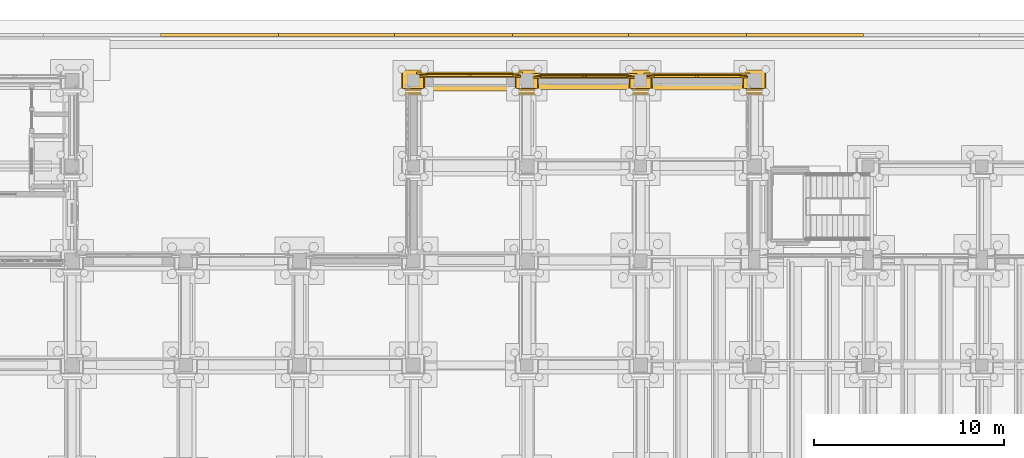
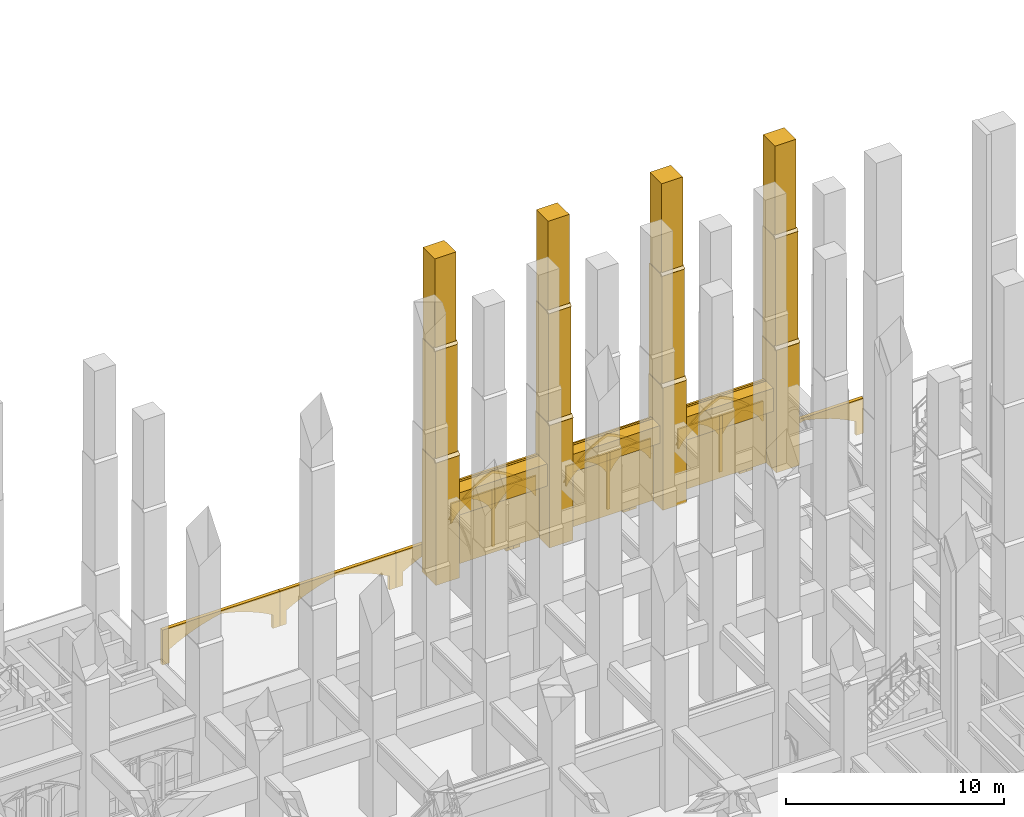
# One storey, part 122 of 135: 50 coverings.
"""IFC4 building model written with IfcOpenShell, lengths in metres."""

from ifc_helpers import new_model, si_unit, direction, frame, origin, origin_2d, place, context, subcontext, project, spatial, polyline, rectangle, outline, extrude, material, type_object, element, save


model = new_model("IFC4")

# Units and contexts
model_context = context("Model", 3, precision=1e-05, world=origin(), true_north=direction((0.0, 1.0)))
body_context = subcontext(model_context, "Body", "Model", "MODEL_VIEW")
ifc_project = project(units=[si_unit("LENGTHUNIT", "METRE"), si_unit("AREAUNIT", "SQUARE_METRE"), si_unit("VOLUMEUNIT", "CUBIC_METRE"), si_unit("PLANEANGLEUNIT", "RADIAN"), si_unit("MASSUNIT", "GRAM", prefix="KILO")], contexts=[model_context])

# Site, building, storey
site_placement = place(None, origin())
site = spatial("IfcSite", under=ifc_project, at=site_placement, CompositionType="ELEMENT")
building_placement = place(site_placement, origin())
building = spatial("IfcBuilding", under=site, at=building_placement, Name="Cumevento Cable Car Station", CompositionType="ELEMENT")
storey_placement = place(building_placement, origin())
storey = spatial("IfcBuildingStorey", under=building, at=storey_placement, Name="L01", CompositionType="ELEMENT", Elevation=0.0)

# Coverings
ifc_material = material(Name="Gnaisse Facoidal Stone Ashlar 85 MPa", Category="masonry")
covering_type = type_object("IfcCoveringType", Name="Gnaisse Ashlar Cladding CV-CL01", PredefinedType="CLADDING", material=ifc_material)
covering_1_placement = place(storey_placement, frame((52.0, 65.909912109375, -0.06005859375), z_axis=(0.0, 0.0, 1.0), x_axis=(1.0, 0.0, 0.0)))
element("IfcCovering", 1, at=covering_1_placement, inside=storey, type_object=covering_type, Name="Stepped Gothic Stone Buttress Tier 1 bt:52.0:66.0", PredefinedType="CLADDING", context=body_context, shape_type="SweptSolid", body=[
    extrude(rectangle(XDim=1.239990234375, YDim=1.300048828125, at=origin_2d()), origin(), (0.0, 0.0, 1.0), 6.885498046875),
])
covering_2_placement = place(storey_placement, frame((51.360107421875, 65.239990234375, 6.8056640625), z_axis=(0.0, -0.711135781079, 0.703054692658), x_axis=(1.0, 0.0, 0.0)))
element("IfcCovering", 2, at=covering_2_placement, inside=storey, type_object=covering_type, Name="Gothic Buttress Sloped Stone Weathering 1 bt:52.0:66.0", PredefinedType="CLADDING", context=body_context, shape_type="SweptSolid", body=[
    extrude(outline(polyline([(0.0, 0.0), (1.27978515625, 0.0), (1.27978515625, 0.24169083397703695), (0.0, 0.24169083397703695), (0.0, 0.0)])), origin(), (0.0, 0.0, -1.0), 0.090087890625),
])
covering_3_placement = place(storey_placement, frame((52.0, 65.969970703125, 6.46337890625), z_axis=(0.0, 0.0, 1.0), x_axis=(1.0, 0.0, 0.0)))
element("IfcCovering", 3, at=covering_3_placement, inside=storey, type_object=covering_type, Name="Stepped Gothic Stone Buttress Tier 2 bt:52.0:66.0", PredefinedType="CLADDING", context=body_context, shape_type="SweptSolid", body=[
    extrude(rectangle(XDim=1.179931640625, YDim=1.179931640625, at=origin_2d()), origin(), (0.0, 0.0, 1.0), 6.523193359375),
])
covering_4_placement = place(storey_placement, frame((51.389892578125, 65.360107421875, 12.96630859375), z_axis=(0.0, -0.714474823669, 0.699661151089), x_axis=(1.0, 0.0, 0.0)))
element("IfcCovering", 4, at=covering_4_placement, inside=storey, type_object=covering_type, Name="Gothic Buttress Sloped Stone Weathering 2 bt:52.0:66.0", PredefinedType="CLADDING", context=body_context, shape_type="SweptSolid", body=[
    extrude(outline(polyline([(0.0, 0.0), (1.22021484375, 0.0), (1.22021484375, 0.21424991728737655), (0.0, 0.21424991728737655), (0.0, 0.0)])), origin(), (0.0, 0.0, -1.0), 0.090087890625),
])
covering_5_placement = place(storey_placement, frame((52.0, 66.02001953125, 12.6240234375), z_axis=(0.0, 0.0, 1.0), x_axis=(1.0, 0.0, 0.0)))
element("IfcCovering", 5, at=covering_5_placement, inside=storey, type_object=covering_type, Name="Stepped Gothic Stone Buttress Tier 3 bt:52.0:66.0", PredefinedType="CLADDING", context=body_context, shape_type="SweptSolid", body=[
    extrude(rectangle(XDim=1.1201171875, YDim=1.080078125, at=origin_2d()), origin(), (0.0, 0.0, 1.0), 5.43603515625),
])
covering_6_placement = place(storey_placement, frame((58.0, 65.909912109375, -0.06005859375), z_axis=(0.0, 0.0, 1.0), x_axis=(1.0, 0.0, 0.0)))
element("IfcCovering", 6, at=covering_6_placement, inside=storey, type_object=covering_type, Name="Stepped Gothic Stone Buttress Tier 1 bt:58.0:66.0", PredefinedType="CLADDING", context=body_context, shape_type="SweptSolid", body=[
    extrude(rectangle(XDim=1.239990234375, YDim=1.300048828125, at=origin_2d()), origin(), (0.0, 0.0, 1.0), 6.885498046875),
])
covering_7_placement = place(storey_placement, frame((57.360107421875, 65.239990234375, 6.8056640625), z_axis=(0.0, -0.711135781079, 0.703054692658), x_axis=(1.0, 0.0, 0.0)))
element("IfcCovering", 7, at=covering_7_placement, inside=storey, type_object=covering_type, Name="Gothic Buttress Sloped Stone Weathering 1 bt:58.0:66.0", PredefinedType="CLADDING", context=body_context, shape_type="SweptSolid", body=[
    extrude(outline(polyline([(0.0, 0.0), (1.27978515625, 0.0), (1.27978515625, 0.24169083397703695), (0.0, 0.24169083397703695), (0.0, 0.0)])), origin(), (0.0, 0.0, -1.0), 0.090087890625),
])
covering_8_placement = place(storey_placement, frame((58.0, 65.969970703125, 6.46337890625), z_axis=(0.0, 0.0, 1.0), x_axis=(1.0, 0.0, 0.0)))
element("IfcCovering", 8, at=covering_8_placement, inside=storey, type_object=covering_type, Name="Stepped Gothic Stone Buttress Tier 2 bt:58.0:66.0", PredefinedType="CLADDING", context=body_context, shape_type="SweptSolid", body=[
    extrude(rectangle(XDim=1.179931640625, YDim=1.179931640625, at=origin_2d()), origin(), (0.0, 0.0, 1.0), 6.523193359375),
])
covering_9_placement = place(storey_placement, frame((57.389892578125, 65.360107421875, 12.96630859375), z_axis=(0.0, -0.714474823669, 0.699661151089), x_axis=(1.0, 0.0, 0.0)))
element("IfcCovering", 9, at=covering_9_placement, inside=storey, type_object=covering_type, Name="Gothic Buttress Sloped Stone Weathering 2 bt:58.0:66.0", PredefinedType="CLADDING", context=body_context, shape_type="SweptSolid", body=[
    extrude(outline(polyline([(0.0, 0.0), (1.22021484375, 0.0), (1.22021484375, 0.21424991728737655), (0.0, 0.21424991728737655), (0.0, 0.0)])), origin(), (0.0, 0.0, -1.0), 0.090087890625),
])
covering_10_placement = place(storey_placement, frame((58.0, 66.02001953125, 12.6240234375), z_axis=(0.0, 0.0, 1.0), x_axis=(1.0, 0.0, 0.0)))
element("IfcCovering", 10, at=covering_10_placement, inside=storey, type_object=covering_type, Name="Stepped Gothic Stone Buttress Tier 3 bt:58.0:66.0", PredefinedType="CLADDING", context=body_context, shape_type="SweptSolid", body=[
    extrude(rectangle(XDim=1.1201171875, YDim=1.080078125, at=origin_2d()), origin(), (0.0, 0.0, 1.0), 5.43603515625),
])
covering_11_placement = place(storey_placement, frame((64.0, 65.909912109375, -0.06005859375), z_axis=(0.0, 0.0, 1.0), x_axis=(1.0, 0.0, 0.0)))
element("IfcCovering", 11, at=covering_11_placement, inside=storey, type_object=covering_type, Name="Stepped Gothic Stone Buttress Tier 1 bt:64.0:66.0", PredefinedType="CLADDING", context=body_context, shape_type="SweptSolid", body=[
    extrude(rectangle(XDim=1.239990234375, YDim=1.300048828125, at=origin_2d()), origin(), (0.0, 0.0, 1.0), 6.885498046875),
])
covering_12_placement = place(storey_placement, frame((63.360107421875, 65.239990234375, 6.8056640625), z_axis=(0.0, -0.711135781079, 0.703054692658), x_axis=(1.0, 0.0, 0.0)))
element("IfcCovering", 12, at=covering_12_placement, inside=storey, type_object=covering_type, Name="Gothic Buttress Sloped Stone Weathering 1 bt:64.0:66.0", PredefinedType="CLADDING", context=body_context, shape_type="SweptSolid", body=[
    extrude(outline(polyline([(0.0, 0.0), (1.27978515625, 0.0), (1.27978515625, 0.24169083397703695), (0.0, 0.24169083397703695), (0.0, 0.0)])), origin(), (0.0, 0.0, -1.0), 0.090087890625),
])
covering_13_placement = place(storey_placement, frame((64.0, 65.969970703125, 6.46337890625), z_axis=(0.0, 0.0, 1.0), x_axis=(1.0, 0.0, 0.0)))
element("IfcCovering", 13, at=covering_13_placement, inside=storey, type_object=covering_type, Name="Stepped Gothic Stone Buttress Tier 2 bt:64.0:66.0", PredefinedType="CLADDING", context=body_context, shape_type="SweptSolid", body=[
    extrude(rectangle(XDim=1.179931640625, YDim=1.179931640625, at=origin_2d()), origin(), (0.0, 0.0, 1.0), 6.523193359375),
])
covering_14_placement = place(storey_placement, frame((63.389892578125, 65.360107421875, 12.96630859375), z_axis=(0.0, -0.714474823669, 0.699661151089), x_axis=(1.0, 0.0, 0.0)))
element("IfcCovering", 14, at=covering_14_placement, inside=storey, type_object=covering_type, Name="Gothic Buttress Sloped Stone Weathering 2 bt:64.0:66.0", PredefinedType="CLADDING", context=body_context, shape_type="SweptSolid", body=[
    extrude(outline(polyline([(0.0, 0.0), (1.22021484375, 0.0), (1.22021484375, 0.21424991728737655), (0.0, 0.21424991728737655), (0.0, 0.0)])), origin(), (0.0, 0.0, -1.0), 0.090087890625),
])
covering_15_placement = place(storey_placement, frame((64.0, 66.02001953125, 12.6240234375), z_axis=(0.0, 0.0, 1.0), x_axis=(1.0, 0.0, 0.0)))
element("IfcCovering", 15, at=covering_15_placement, inside=storey, type_object=covering_type, Name="Stepped Gothic Stone Buttress Tier 3 bt:64.0:66.0", PredefinedType="CLADDING", context=body_context, shape_type="SweptSolid", body=[
    extrude(rectangle(XDim=1.1201171875, YDim=1.080078125, at=origin_2d()), origin(), (0.0, 0.0, 1.0), 5.43603515625),
])
covering_16_placement = place(storey_placement, frame((70.0, 65.909912109375, -0.06005859375), z_axis=(0.0, 0.0, 1.0), x_axis=(1.0, 0.0, 0.0)))
element("IfcCovering", 16, at=covering_16_placement, inside=storey, type_object=covering_type, Name="Stepped Gothic Stone Buttress Tier 1 bt:70.0:66.0", PredefinedType="CLADDING", context=body_context, shape_type="SweptSolid", body=[
    extrude(rectangle(XDim=1.239990234375, YDim=1.300048828125, at=origin_2d()), origin(), (0.0, 0.0, 1.0), 6.885498046875),
])
covering_17_placement = place(storey_placement, frame((69.360107421875, 65.239990234375, 6.8056640625), z_axis=(0.0, -0.711135781079, 0.703054692658), x_axis=(1.0, 0.0, 0.0)))
element("IfcCovering", 17, at=covering_17_placement, inside=storey, type_object=covering_type, Name="Gothic Buttress Sloped Stone Weathering 1 bt:70.0:66.0", PredefinedType="CLADDING", context=body_context, shape_type="SweptSolid", body=[
    extrude(outline(polyline([(0.0, 0.0), (1.27978515625, 0.0), (1.27978515625, 0.24169083397703695), (0.0, 0.24169083397703695), (0.0, 0.0)])), origin(), (0.0, 0.0, -1.0), 0.090087890625),
])
covering_18_placement = place(storey_placement, frame((70.0, 65.969970703125, 6.46337890625), z_axis=(0.0, 0.0, 1.0), x_axis=(1.0, 0.0, 0.0)))
element("IfcCovering", 18, at=covering_18_placement, inside=storey, type_object=covering_type, Name="Stepped Gothic Stone Buttress Tier 2 bt:70.0:66.0", PredefinedType="CLADDING", context=body_context, shape_type="SweptSolid", body=[
    extrude(rectangle(XDim=1.179931640625, YDim=1.179931640625, at=origin_2d()), origin(), (0.0, 0.0, 1.0), 6.523193359375),
])
covering_19_placement = place(storey_placement, frame((69.389892578125, 65.360107421875, 12.96630859375), z_axis=(0.0, -0.714474823669, 0.699661151089), x_axis=(1.0, 0.0, 0.0)))
element("IfcCovering", 19, at=covering_19_placement, inside=storey, type_object=covering_type, Name="Gothic Buttress Sloped Stone Weathering 2 bt:70.0:66.0", PredefinedType="CLADDING", context=body_context, shape_type="SweptSolid", body=[
    extrude(outline(polyline([(0.0, 0.0), (1.22021484375, 0.0), (1.22021484375, 0.21424991728737655), (0.0, 0.21424991728737655), (0.0, 0.0)])), origin(), (0.0, 0.0, -1.0), 0.090087890625),
])
covering_20_placement = place(storey_placement, frame((70.0, 66.02001953125, 12.6240234375), z_axis=(0.0, 0.0, 1.0), x_axis=(1.0, 0.0, 0.0)))
element("IfcCovering", 20, at=covering_20_placement, inside=storey, type_object=covering_type, Name="Stepped Gothic Stone Buttress Tier 3 bt:70.0:66.0", PredefinedType="CLADDING", context=body_context, shape_type="SweptSolid", body=[
    extrude(rectangle(XDim=1.1201171875, YDim=1.080078125, at=origin_2d()), origin(), (0.0, 0.0, 1.0), 5.43603515625),
])
covering_21_placement = place(storey_placement, frame((54.97509765625, 65.919921875, 3.2900390625), z_axis=(0.0, 0.0, 1.0), x_axis=(1.0, 0.0, 0.0)))
element("IfcCovering", 21, at=covering_21_placement, inside=storey, type_object=covering_type, Name="Gothic Stone Spandrel Stringcourse sc:0163", PredefinedType="CLADDING", context=body_context, shape_type="SweptSolid", body=[
    extrude(rectangle(XDim=5.5400390625, YDim=0.919921875, at=origin_2d()), origin(), (0.0, 0.0, 1.0), 1.239990234375),
])
covering_22_placement = place(storey_placement, frame((54.97509765625, 66.407470703125, 4.400146484375), z_axis=(0.0, 0.0, 1.0), x_axis=(1.0, 0.0, 0.0)))
element("IfcCovering", 22, at=covering_22_placement, inside=storey, type_object=covering_type, Name="Gothic Cornice Dripstone Lip sc:0163", PredefinedType="CLADDING", context=body_context, shape_type="SweptSolid", body=[
    extrude(rectangle(XDim=5.580078125, YDim=0.114990234375, at=origin_2d()), origin(), (0.0, 0.0, 1.0), 0.1298828125),
])
covering_23_placement = place(storey_placement, frame((61.02490234375, 65.89990234375, 3.5400390625), z_axis=(0.0, 0.0, 1.0), x_axis=(1.0, 0.0, 0.0)))
element("IfcCovering", 23, at=covering_23_placement, inside=storey, type_object=covering_type, Name="Gothic Stone Spandrel Stringcourse sc:0164", PredefinedType="CLADDING", context=body_context, shape_type="SweptSolid", body=[
    extrude(rectangle(XDim=5.5400390625, YDim=0.760009765625, at=origin_2d()), origin(), (0.0, 0.0, 1.0), 0.989990234375),
])
covering_24_placement = place(storey_placement, frame((61.02490234375, 66.3076171875, 4.400146484375), z_axis=(0.0, 0.0, 1.0), x_axis=(1.0, 0.0, 0.0)))
element("IfcCovering", 24, at=covering_24_placement, inside=storey, type_object=covering_type, Name="Gothic Cornice Dripstone Lip sc:0164", PredefinedType="CLADDING", context=body_context, shape_type="SweptSolid", body=[
    extrude(rectangle(XDim=5.580078125, YDim=0.114990234375, at=origin_2d()), origin(), (0.0, 0.0, 1.0), 0.1298828125),
])
covering_25_placement = place(storey_placement, frame((66.97509765625, 65.919921875, 3.239990234375), z_axis=(0.0, 0.0, 1.0), x_axis=(1.0, 0.0, 0.0)))
element("IfcCovering", 25, at=covering_25_placement, inside=storey, type_object=covering_type, Name="Gothic Stone Spandrel Stringcourse sc:0165", PredefinedType="CLADDING", context=body_context, shape_type="SweptSolid", body=[
    extrude(rectangle(XDim=5.5400390625, YDim=0.820068359375, at=origin_2d()), origin(), (0.0, 0.0, 1.0), 1.2900390625),
])
covering_26_placement = place(storey_placement, frame((66.97509765625, 66.357421875, 4.400146484375), z_axis=(0.0, 0.0, 1.0), x_axis=(1.0, 0.0, 0.0)))
element("IfcCovering", 26, at=covering_26_placement, inside=storey, type_object=covering_type, Name="Gothic Cornice Dripstone Lip sc:0165", PredefinedType="CLADDING", context=body_context, shape_type="SweptSolid", body=[
    extrude(rectangle(XDim=5.580078125, YDim=0.114990234375, at=origin_2d()), origin(), (0.0, 0.0, 1.0), 0.1298828125),
])
covering_27_placement = place(storey_placement, frame((52.324951171875, 66.0, 0.0), z_axis=(0.0, 0.0, 1.0), x_axis=(1.0, 0.0, 0.0)))
element("IfcCovering", 27, at=covering_27_placement, inside=storey, type_object=covering_type, Name="Exterior Gnaisse Stone Wall Ashlar #59", PredefinedType="CLADDING", context=body_context, shape_type="SweptSolid", body=[
    extrude(outline(polyline([(-0.0400390625, -0.02001953125), (5.340087890625, -0.02001953125), (5.340087890625, 4.52001953125), (-0.0400390625, 4.52001953125), (-0.0400390625, -0.02001953125)])), frame((0.0, 0.27490234375, 0.0), z_axis=(0.0, -1.0, 0.0), x_axis=(1.0, 0.0, 0.0)), (0.0, 0.0, 1.0), 0.0849609375),
])
placement_1 = place(storey_placement, frame((52.5048828125, 66.0, 0.300048828125), z_axis=(0.0, 0.0, 1.0), x_axis=(1.0, 0.0, 0.0)))
element("IfcCovering", 28, at=placement_1, inside=storey, type_object=covering_type, Name="Gothic Ogival Pointed-Arch Stone Spandrel blind_ogival:0059", PredefinedType="CLADDING", context=body_context, shape_type="SweptSolid", body=[
    extrude(outline(polyline([(-0.050048828125, 0.0), (-0.050048828125, 4.239990234375), (4.989990234375, 4.239990234375), (4.989990234375, 0.0), (4.679931640625, 0.0), (4.679931640625, 2.219970703125), (4.440185546875, 2.557373046875), (4.171142578125, 2.871826171875), (3.875, 3.160888671875), (3.55419921875, 3.422119140625), (3.211181640625, 3.65380859375), (2.848876953125, 3.853515625), (2.469970703125, 4.02001953125), (2.091064453125, 3.853515625), (1.728759765625, 3.65380859375), (1.3857421875, 3.422119140625), (1.06494140625, 3.160888671875), (0.768798828125, 2.871826171875), (0.499755859375, 2.557373046875), (0.260009765625, 2.219970703125), (0.260009765625, 0.0), (-0.050048828125, 0.0)])), frame((0.0, 0.330078125, 0.0), z_axis=(0.0, -1.0, 0.0), x_axis=(1.0, 0.0, 0.0)), (0.0, 0.0, 1.0), 0.110107421875),
])
covering_29_placement = place(storey_placement, frame((52.5048828125, 66.0, 2.52001953125), z_axis=(0.0, 0.0, 1.0), x_axis=(1.0, 0.0, 0.0)))
element("IfcCovering", 29, at=covering_29_placement, inside=storey, type_object=covering_type, Name="Gothic Pointed Archivolt Hood Moulding blind_ogival:0059", PredefinedType="CLADDING", context=body_context, shape_type="SweptSolid", body=[
    extrude(outline(polyline([(0.260009765625, 0.0), (0.499755859375, 0.33740234375), (0.768798828125, 0.65185546875), (1.06494140625, 0.94091796875), (1.3857421875, 1.2021484375), (1.728759765625, 1.433837890625), (2.091064453125, 1.633544921875), (2.469970703125, 1.800048828125), (2.848876953125, 1.633544921875), (3.211181640625, 1.433837890625), (3.55419921875, 1.2021484375), (3.875, 0.94091796875), (4.171142578125, 0.65185546875), (4.440185546875, 0.33740234375), (4.679931640625, 0.0), (4.801025390625, 0.0), (4.552001953125, 0.36474609375), (4.2705078125, 0.705078125), (3.959228515625, 1.0185546875), (3.62060546875, 1.302001953125), (3.25732421875, 1.55322265625), (2.872802734375, 1.770263671875), (2.469970703125, 1.951171875), (2.067138671875, 1.770263671875), (1.6826171875, 1.55322265625), (1.3193359375, 1.302001953125), (0.980712890625, 1.0185546875), (0.66943359375, 0.705078125), (0.387939453125, 0.36474609375), (0.138916015625, 0.0), (0.260009765625, 0.0)])), frame((0.0, 0.3720703125, 0.0), z_axis=(0.0, -1.0, 0.0), x_axis=(1.0, 0.0, 0.0)), (0.0, 0.0, 1.0), 0.06689453125),
])
element("IfcCovering", 30, at=placement_1, inside=storey, type_object=covering_type, Name="Gothic Bifora Stone Colonnette blind_ogival:0059 #1", PredefinedType="CLADDING", context=body_context, shape_type="SweptSolid", body=[
    extrude(outline(polyline([(2.39501953125, -0.02001953125), (2.544921875, -0.02001953125), (2.544921875, 3.156005859375), (2.39501953125, 3.156005859375), (2.39501953125, -0.02001953125)])), frame((0.0, 0.318115234375, 0.0), z_axis=(0.0, -1.0, 0.0), x_axis=(1.0, 0.0, 0.0)), (0.0, 0.0, 1.0), 0.094970703125),
])
for number, where, z_axis, x_axis, name in (
    (31, (52.735107421875, 66.0, 2.340087890625), (0.0, 0.0, 1.0), (1.0, 0.0, 0.0), "Gothic Ogival Pointed-Arch Stone Spandrel blind_ogival:0059:sub:0"),
    (32, (55.02001953125, 66.0, 2.340087890625), (0.0, 0.0, 1.0), (1.0, 0.0, 0.0), "Gothic Ogival Pointed-Arch Stone Spandrel blind_ogival:0059:sub:1"),
):
    element("IfcCovering", number, at=place(storey_placement, frame(where, z_axis=z_axis, x_axis=x_axis)), inside=storey, type_object=covering_type, Name=name, PredefinedType="CLADDING", context=body_context, shape_type="SweptSolid", body=[
        extrude(outline(polyline([(-0.02001953125, 0.0), (-0.02001953125, 1.115966796875), (2.215087890625, 1.115966796875), (2.215087890625, 0.0), (2.155029296875, 0.0), (2.03125, 0.213623046875), (1.88330078125, 0.411376953125), (1.713623046875, 0.5908203125), (1.5244140625, 0.74951171875), (1.318115234375, 0.885009765625), (1.097412109375, 0.99609375), (0.876953125, 0.885009765625), (0.670654296875, 0.74951171875), (0.4814453125, 0.5908203125), (0.311767578125, 0.411376953125), (0.163818359375, 0.213623046875), (0.0400390625, 0.0), (-0.02001953125, 0.0)])), frame((0.0, 0.31396484375, 0.0), z_axis=(0.0, -1.0, 0.0), x_axis=(1.0, 0.0, 0.0)), (0.0, 0.0, 1.0), 0.090087890625),
    ])
covering_31_placement = place(storey_placement, frame((58.375, 66.0, 0.0), z_axis=(0.0, 0.0, 1.0), x_axis=(1.0, 0.0, 0.0)))
element("IfcCovering", 33, at=covering_31_placement, inside=storey, type_object=covering_type, Name="Exterior Gnaisse Stone Wall Ashlar #60", PredefinedType="CLADDING", context=body_context, shape_type="SweptSolid", body=[
    extrude(outline(polyline([(-0.0400390625, -0.02001953125), (5.340087890625, -0.02001953125), (5.340087890625, 4.52001953125), (-0.0400390625, 4.52001953125), (-0.0400390625, -0.02001953125)])), frame((0.0, 0.215087890625, 0.0), z_axis=(0.0, -1.0, 0.0), x_axis=(1.0, 0.0, 0.0)), (0.0, 0.0, 1.0), 0.0849609375),
])
placement_2 = place(storey_placement, frame((58.554931640625, 66.0, 0.300048828125), z_axis=(0.0, 0.0, 1.0), x_axis=(1.0, 0.0, 0.0)))
element("IfcCovering", 34, at=placement_2, inside=storey, type_object=covering_type, Name="Gothic Ogival Pointed-Arch Stone Spandrel blind_ogival:0060", PredefinedType="CLADDING", context=body_context, shape_type="SweptSolid", body=[
    extrude(outline(polyline([(-0.050048828125, 0.0), (-0.050048828125, 4.239990234375), (4.989990234375, 4.239990234375), (4.989990234375, 0.0), (4.679931640625, 0.0), (4.679931640625, 2.219970703125), (4.440185546875, 2.557373046875), (4.171142578125, 2.871826171875), (3.875, 3.160888671875), (3.55419921875, 3.422119140625), (3.211181640625, 3.65380859375), (2.848876953125, 3.853515625), (2.469970703125, 4.02001953125), (2.091064453125, 3.853515625), (1.728759765625, 3.65380859375), (1.3857421875, 3.422119140625), (1.06494140625, 3.160888671875), (0.768798828125, 2.871826171875), (0.499755859375, 2.557373046875), (0.260009765625, 2.219970703125), (0.260009765625, 0.0), (-0.050048828125, 0.0)])), frame((0.0, 0.27001953125, 0.0), z_axis=(0.0, -1.0, 0.0), x_axis=(1.0, 0.0, 0.0)), (0.0, 0.0, 1.0), 0.110107421875),
])
covering_33_placement = place(storey_placement, frame((58.554931640625, 66.0, 2.52001953125), z_axis=(0.0, 0.0, 1.0), x_axis=(1.0, 0.0, 0.0)))
element("IfcCovering", 35, at=covering_33_placement, inside=storey, type_object=covering_type, Name="Gothic Pointed Archivolt Hood Moulding blind_ogival:0060", PredefinedType="CLADDING", context=body_context, shape_type="SweptSolid", body=[
    extrude(outline(polyline([(0.260009765625, 0.0), (0.499755859375, 0.33740234375), (0.768798828125, 0.65185546875), (1.06494140625, 0.94091796875), (1.3857421875, 1.2021484375), (1.728759765625, 1.433837890625), (2.091064453125, 1.633544921875), (2.469970703125, 1.800048828125), (2.848876953125, 1.633544921875), (3.211181640625, 1.433837890625), (3.55419921875, 1.2021484375), (3.875, 0.94091796875), (4.171142578125, 0.65185546875), (4.440185546875, 0.33740234375), (4.679931640625, 0.0), (4.801025390625, 0.0), (4.552001953125, 0.36474609375), (4.2705078125, 0.705078125), (3.959228515625, 1.0185546875), (3.62060546875, 1.302001953125), (3.25732421875, 1.55322265625), (2.872802734375, 1.770263671875), (2.469970703125, 1.951171875), (2.067138671875, 1.770263671875), (1.6826171875, 1.55322265625), (1.3193359375, 1.302001953125), (0.980712890625, 1.0185546875), (0.66943359375, 0.705078125), (0.387939453125, 0.36474609375), (0.138916015625, 0.0), (0.260009765625, 0.0)])), frame((0.0, 0.31201171875, 0.0), z_axis=(0.0, -1.0, 0.0), x_axis=(1.0, 0.0, 0.0)), (0.0, 0.0, 1.0), 0.06689453125),
])
element("IfcCovering", 36, at=placement_2, inside=storey, type_object=covering_type, Name="Gothic Bifora Stone Colonnette blind_ogival:0060 #1", PredefinedType="CLADDING", context=body_context, shape_type="SweptSolid", body=[
    extrude(outline(polyline([(2.39501953125, -0.02001953125), (2.544921875, -0.02001953125), (2.544921875, 3.156005859375), (2.39501953125, 3.156005859375), (2.39501953125, -0.02001953125)])), frame((0.0, 0.258056640625, 0.0), z_axis=(0.0, -1.0, 0.0), x_axis=(1.0, 0.0, 0.0)), (0.0, 0.0, 1.0), 0.094970703125),
])
for number, where, z_axis, x_axis, name in (
    (37, (58.784912109375, 66.0, 2.340087890625), (0.0, 0.0, 1.0), (1.0, 0.0, 0.0), "Gothic Ogival Pointed-Arch Stone Spandrel blind_ogival:0060:sub:0"),
    (38, (61.070068359375, 66.0, 2.340087890625), (0.0, 0.0, 1.0), (1.0, 0.0, 0.0), "Gothic Ogival Pointed-Arch Stone Spandrel blind_ogival:0060:sub:1"),
):
    element("IfcCovering", number, at=place(storey_placement, frame(where, z_axis=z_axis, x_axis=x_axis)), inside=storey, type_object=covering_type, Name=name, PredefinedType="CLADDING", context=body_context, shape_type="SweptSolid", body=[
        extrude(outline(polyline([(-0.02001953125, 0.0), (-0.02001953125, 1.115966796875), (2.215087890625, 1.115966796875), (2.215087890625, 0.0), (2.155029296875, 0.0), (2.03125, 0.213623046875), (1.88330078125, 0.411376953125), (1.713623046875, 0.5908203125), (1.5244140625, 0.74951171875), (1.318115234375, 0.885009765625), (1.097412109375, 0.99609375), (0.876953125, 0.885009765625), (0.670654296875, 0.74951171875), (0.4814453125, 0.5908203125), (0.311767578125, 0.411376953125), (0.163818359375, 0.213623046875), (0.0400390625, 0.0), (-0.02001953125, 0.0)])), frame((0.0, 0.25390625, 0.0), z_axis=(0.0, -1.0, 0.0), x_axis=(1.0, 0.0, 0.0)), (0.0, 0.0, 1.0), 0.090087890625),
    ])
covering_35_placement = place(storey_placement, frame((64.324951171875, 66.0, 0.0), z_axis=(0.0, 0.0, 1.0), x_axis=(1.0, 0.0, 0.0)))
element("IfcCovering", 39, at=covering_35_placement, inside=storey, type_object=covering_type, Name="Exterior Gnaisse Stone Wall Ashlar #61", PredefinedType="CLADDING", context=body_context, shape_type="SweptSolid", body=[
    extrude(outline(polyline([(-0.0400390625, -0.02001953125), (5.340087890625, -0.02001953125), (5.340087890625, 4.52001953125), (-0.0400390625, 4.52001953125), (-0.0400390625, -0.02001953125)])), frame((0.0, 0.22509765625, 0.0), z_axis=(0.0, -1.0, 0.0), x_axis=(1.0, 0.0, 0.0)), (0.0, 0.0, 1.0), 0.0849609375),
])
placement_3 = place(storey_placement, frame((64.5048828125, 66.0, 0.300048828125), z_axis=(0.0, 0.0, 1.0), x_axis=(1.0, 0.0, 0.0)))
element("IfcCovering", 40, at=placement_3, inside=storey, type_object=covering_type, Name="Gothic Ogival Pointed-Arch Stone Spandrel blind_ogival:0061", PredefinedType="CLADDING", context=body_context, shape_type="SweptSolid", body=[
    extrude(outline(polyline([(-0.050048828125, 0.0), (-0.050048828125, 4.239990234375), (4.989990234375, 4.239990234375), (4.989990234375, 0.0), (4.679931640625, 0.0), (4.679931640625, 2.219970703125), (4.440185546875, 2.557373046875), (4.171142578125, 2.871826171875), (3.875, 3.160888671875), (3.55419921875, 3.422119140625), (3.211181640625, 3.65380859375), (2.848876953125, 3.853515625), (2.469970703125, 4.02001953125), (2.091064453125, 3.853515625), (1.728759765625, 3.65380859375), (1.3857421875, 3.422119140625), (1.06494140625, 3.160888671875), (0.768798828125, 2.871826171875), (0.499755859375, 2.557373046875), (0.260009765625, 2.219970703125), (0.260009765625, 0.0), (-0.050048828125, 0.0)])), frame((0.0, 0.280029296875, 0.0), z_axis=(0.0, -1.0, 0.0), x_axis=(1.0, 0.0, 0.0)), (0.0, 0.0, 1.0), 0.110107421875),
])
covering_37_placement = place(storey_placement, frame((64.5048828125, 66.0, 2.52001953125), z_axis=(0.0, 0.0, 1.0), x_axis=(1.0, 0.0, 0.0)))
element("IfcCovering", 41, at=covering_37_placement, inside=storey, type_object=covering_type, Name="Gothic Pointed Archivolt Hood Moulding blind_ogival:0061", PredefinedType="CLADDING", context=body_context, shape_type="SweptSolid", body=[
    extrude(outline(polyline([(0.260009765625, 0.0), (0.499755859375, 0.33740234375), (0.768798828125, 0.65185546875), (1.06494140625, 0.94091796875), (1.3857421875, 1.2021484375), (1.728759765625, 1.433837890625), (2.091064453125, 1.633544921875), (2.469970703125, 1.800048828125), (2.848876953125, 1.633544921875), (3.211181640625, 1.433837890625), (3.55419921875, 1.2021484375), (3.875, 0.94091796875), (4.171142578125, 0.65185546875), (4.440185546875, 0.33740234375), (4.679931640625, 0.0), (4.801025390625, 0.0), (4.552001953125, 0.36474609375), (4.2705078125, 0.705078125), (3.959228515625, 1.0185546875), (3.62060546875, 1.302001953125), (3.25732421875, 1.55322265625), (2.872802734375, 1.770263671875), (2.469970703125, 1.951171875), (2.067138671875, 1.770263671875), (1.6826171875, 1.55322265625), (1.3193359375, 1.302001953125), (0.980712890625, 1.0185546875), (0.66943359375, 0.705078125), (0.387939453125, 0.36474609375), (0.138916015625, 0.0), (0.260009765625, 0.0)])), frame((0.0, 0.322021484375, 0.0), z_axis=(0.0, -1.0, 0.0), x_axis=(1.0, 0.0, 0.0)), (0.0, 0.0, 1.0), 0.06689453125),
])
element("IfcCovering", 42, at=placement_3, inside=storey, type_object=covering_type, Name="Gothic Bifora Stone Colonnette blind_ogival:0061 #1", PredefinedType="CLADDING", context=body_context, shape_type="SweptSolid", body=[
    extrude(outline(polyline([(2.39501953125, -0.02001953125), (2.544921875, -0.02001953125), (2.544921875, 3.156005859375), (2.39501953125, 3.156005859375), (2.39501953125, -0.02001953125)])), frame((0.0, 0.26806640625, 0.0), z_axis=(0.0, -1.0, 0.0), x_axis=(1.0, 0.0, 0.0)), (0.0, 0.0, 1.0), 0.094970703125),
])
for number, where, z_axis, x_axis, name in (
    (43, (64.735107421875, 66.0, 2.340087890625), (0.0, 0.0, 1.0), (1.0, 0.0, 0.0), "Gothic Ogival Pointed-Arch Stone Spandrel blind_ogival:0061:sub:0"),
    (44, (67.02001953125, 66.0, 2.340087890625), (0.0, 0.0, 1.0), (1.0, 0.0, 0.0), "Gothic Ogival Pointed-Arch Stone Spandrel blind_ogival:0061:sub:1"),
):
    element("IfcCovering", number, at=place(storey_placement, frame(where, z_axis=z_axis, x_axis=x_axis)), inside=storey, type_object=covering_type, Name=name, PredefinedType="CLADDING", context=body_context, shape_type="SweptSolid", body=[
        extrude(outline(polyline([(-0.02001953125, 0.0), (-0.02001953125, 1.115966796875), (2.215087890625, 1.115966796875), (2.215087890625, 0.0), (2.155029296875, 0.0), (2.03125, 0.213623046875), (1.88330078125, 0.411376953125), (1.713623046875, 0.5908203125), (1.5244140625, 0.74951171875), (1.318115234375, 0.885009765625), (1.097412109375, 0.99609375), (0.876953125, 0.885009765625), (0.670654296875, 0.74951171875), (0.4814453125, 0.5908203125), (0.311767578125, 0.411376953125), (0.163818359375, 0.213623046875), (0.0400390625, 0.0), (-0.02001953125, 0.0)])), frame((0.0, 0.263916015625, 0.0), z_axis=(0.0, -1.0, 0.0), x_axis=(1.0, 0.0, 0.0)), (0.0, 0.0, 1.0), 0.090087890625),
    ])
for number, where, z_axis, x_axis, name in (
    (45, (69.564697265625, 68.35009765625, -1.919921875), (0.0, 0.0, 1.0), (1.0, 0.0, 0.0), "Gothic Ogival Pointed-Arch Stone Spandrel cumevento_plinth:plinth_arch:N:15"),
    (46, (63.390625, 68.35009765625, -1.919921875), (0.0, 0.0, 1.0), (1.0, 0.0, 0.0), "Gothic Ogival Pointed-Arch Stone Spandrel cumevento_plinth:plinth_arch:N:16"),
    (47, (57.216552734375, 68.35009765625, -1.919921875), (0.0, 0.0, 1.0), (1.0, 0.0, 0.0), "Gothic Ogival Pointed-Arch Stone Spandrel cumevento_plinth:plinth_arch:N:17"),
    (48, (51.04248046875, 68.35009765625, -1.919921875), (0.0, 0.0, 1.0), (1.0, 0.0, 0.0), "Gothic Ogival Pointed-Arch Stone Spandrel cumevento_plinth:plinth_arch:N:18"),
    (49, (44.868408203125, 68.35009765625, -1.919921875), (0.0, 0.0, 1.0), (1.0, 0.0, 0.0), "Gothic Ogival Pointed-Arch Stone Spandrel cumevento_plinth:plinth_arch:N:19"),
    (50, (38.6943359375, 68.35009765625, -1.919921875), (0.0, 0.0, 1.0), (1.0, 0.0, 0.0), "Gothic Ogival Pointed-Arch Stone Spandrel cumevento_plinth:plinth_arch:N:20"),
):
    element("IfcCovering", number, at=place(storey_placement, frame(where, z_axis=z_axis, x_axis=x_axis)), inside=storey, type_object=covering_type, Name=name, PredefinedType="CLADDING", context=body_context, shape_type="SweptSolid", body=[
        extrude(outline(polyline([(-0.02001953125, 0.0), (-0.02001953125, 1.9599609375), (6.194091796875, 1.9599609375), (6.194091796875, 0.0), (5.81396484375, 0.0), (5.81396484375, 0.77001953125), (5.3857421875, 1.00390625), (4.945068359375, 1.213623046875), (4.493408203125, 1.3984375), (4.0322265625, 1.558349609375), (3.56298828125, 1.692138671875), (3.087158203125, 1.800048828125), (2.611083984375, 1.692138671875), (2.141845703125, 1.558349609375), (1.6806640625, 1.3984375), (1.22900390625, 1.213623046875), (0.788330078125, 1.00390625), (0.360107421875, 0.77001953125), (0.360107421875, 0.0), (-0.02001953125, 0.0)])), frame((0.0, 0.14990234375, 0.0), z_axis=(0.0, -1.0, 0.0), x_axis=(1.0, 0.0, 0.0)), (0.0, 0.0, 1.0), 0.179931640625),
    ])

save(model, "model.ifc")
